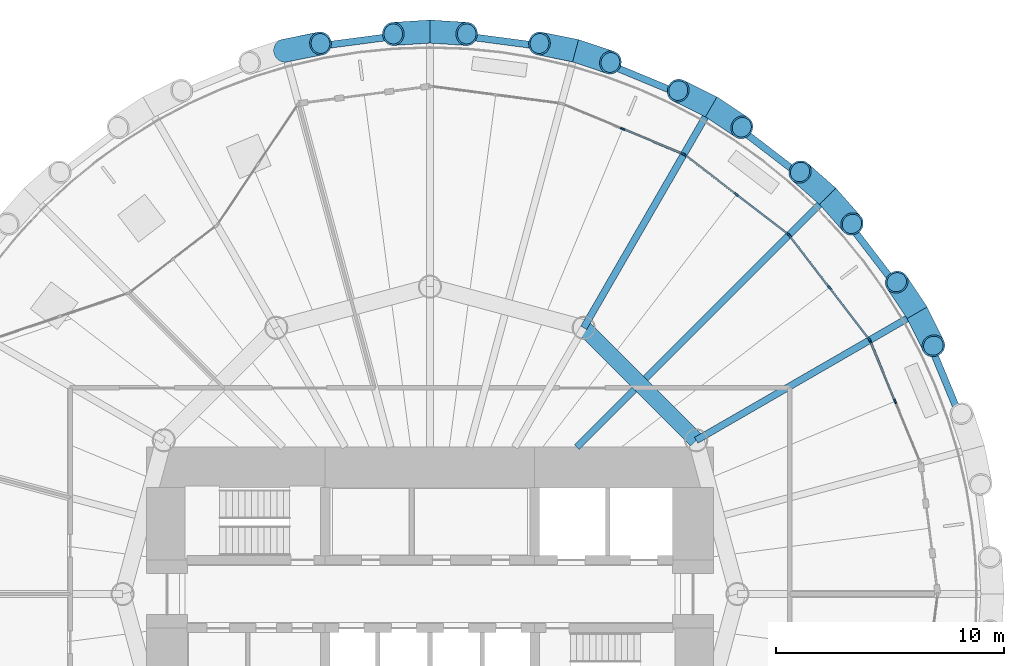
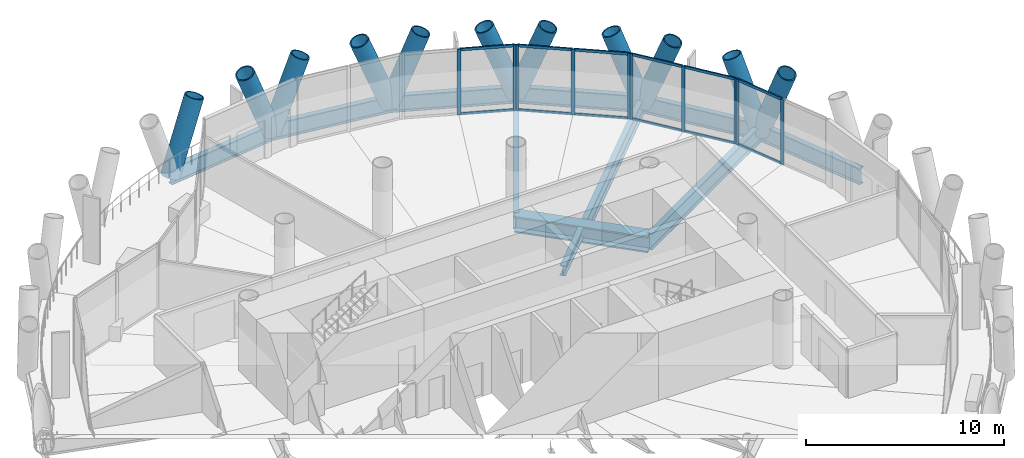
# One storey, part 6 of 14: 33 members, 11 beams, 4 elements without a shape of their own.
"""IFC4 building model written with IfcOpenShell, lengths in metres."""

from ifc_helpers import new_model, si_unit, direction, frame, origin, origin_2d, place, context, subcontext, project, spatial, rectangle, hollow_circle, i_section, extrude, material, material_profile, profile_set, type_object, element, aggregate, save


model = new_model("IFC4")

# Units and contexts
model_context = context("Model", 3, precision=1e-05, world=origin(), true_north=direction((0.0, 1.0)))
body_context = subcontext(model_context, "Body", "Model", "MODEL_VIEW")
ifc_project = project(units=[si_unit("LENGTHUNIT", "METRE"), si_unit("AREAUNIT", "SQUARE_METRE"), si_unit("VOLUMEUNIT", "CUBIC_METRE"), si_unit("PLANEANGLEUNIT", "RADIAN"), si_unit("MASSUNIT", "GRAM", prefix="KILO")], contexts=[model_context])

# Site, building, storey
site_placement = place(None, origin())
site = spatial("IfcSite", under=ifc_project, at=site_placement, CompositionType="ELEMENT")
building_placement = place(site_placement, origin())
building = spatial("IfcBuilding", under=site, at=building_placement, Name="Qaws Media Tower", CompositionType="ELEMENT")
storey_placement = place(building_placement, frame((0.0, 0.0, 160.39990234375)))
storey = spatial("IfcBuildingStorey", under=building, at=storey_placement, Name="L36", CompositionType="ELEMENT", Elevation=160.39990234375)

# Curtain wall, members
ifc_material_1 = material(Name="Aluminium and clear glass", Category="aluminium")
curtain_wall_type = type_object("IfcCurtainWallType", Name="Unitised curtain wall CW-B", PredefinedType="NOTDEFINED", material=ifc_material_1)
curtain_wall_1_placement = place(storey_placement, origin())
curtain_wall_1 = element("IfcCurtainWall", 1, at=curtain_wall_1_placement, inside=storey, type_object=curtain_wall_type, Name="CWB curtain wall L36-02", PredefinedType="NOTDEFINED")
ifc_material_2 = material(Name="Aluminium mullion", Category="aluminium")
ifc_material_profile_1 = material_profile(ifc_material_2, rectangle(XDim=0.080078125, YDim=0.199951171875, at=origin_2d()), Name="80x200")
ifc_profile_set_1 = profile_set([ifc_material_profile_1], Name="Aluminium mullion")
member_type_1 = type_object("IfcMemberType", Name="Curtain wall mullion 80x200", PredefinedType="MULLION", material=ifc_profile_set_1)
member_1_placement = place(storey_placement, frame((80.42626953125, 58.4609375, 0.0), z_axis=(0.0, 0.0, 1.0), x_axis=(-0.923879550732, -0.382683388377, 0.0)))
member_1 = element("IfcMember", 2, at=member_1_placement, type_object=member_type_1, Name="CWB mullion 2", PredefinedType="MULLION", context=body_context, shape_type="SweptSolid", body=[
    extrude(rectangle(XDim=0.080078125, YDim=0.199951171875, at=origin_2d()), origin(), (0.0, 0.0, 1.0), 4.0400390625),
])
member_2_placement = place(storey_placement, frame((79.32763671875, 61.113037109375, 0.0), z_axis=(0.0, 0.0, 1.0), x_axis=(-0.923879550732, -0.382683388377, 0.0)))
member_2 = element("IfcMember", 3, at=member_2_placement, type_object=member_type_1, Name="CWB mullion 3", PredefinedType="MULLION", context=body_context, shape_type="SweptSolid", body=[
    extrude(rectangle(XDim=0.080078125, YDim=0.199951171875, at=origin_2d()), origin(), (0.0, 0.0, 1.0), 4.0400390625),
])

curtain_wall_2_placement = place(storey_placement, origin())
curtain_wall_2 = element("IfcCurtainWall", 4, at=curtain_wall_2_placement, inside=storey, type_object=curtain_wall_type, Name="CWB curtain wall L36-03", PredefinedType="NOTDEFINED")
member_3_placement = place(storey_placement, frame((79.2880859375, 61.181640625, 0.0), z_axis=(0.0, 0.0, 1.0), x_axis=(-0.793353266852, -0.608761524717, 0.0)))
member_3 = element("IfcMember", 5, at=member_3_placement, type_object=member_type_1, Name="CWB mullion 1", PredefinedType="MULLION", context=body_context, shape_type="SweptSolid", body=[
    extrude(rectangle(XDim=0.080078125, YDim=0.199951171875, at=origin_2d()), origin(), (0.0, 0.0, 1.0), 4.0400390625),
])
member_4_placement = place(storey_placement, frame((77.54052734375, 63.459228515625, 0.0), z_axis=(0.0, 0.0, 1.0), x_axis=(-0.793353266852, -0.608761524717, 0.0)))
member_4 = element("IfcMember", 6, at=member_4_placement, type_object=member_type_1, Name="CWB mullion 2", PredefinedType="MULLION", context=body_context, shape_type="SweptSolid", body=[
    extrude(rectangle(XDim=0.080078125, YDim=0.199951171875, at=origin_2d()), origin(), (0.0, 0.0, 1.0), 4.0400390625),
])
member_5_placement = place(storey_placement, frame((75.792724609375, 65.73681640625, 0.0), z_axis=(0.0, 0.0, 1.0), x_axis=(-0.793353266852, -0.608761524717, 0.0)))
member_5 = element("IfcMember", 7, at=member_5_placement, type_object=member_type_1, Name="CWB mullion 3", PredefinedType="MULLION", context=body_context, shape_type="SweptSolid", body=[
    extrude(rectangle(XDim=0.080078125, YDim=0.199951171875, at=origin_2d()), origin(), (0.0, 0.0, 1.0), 4.0400390625),
])

curtain_wall_3_placement = place(storey_placement, origin())
curtain_wall_3 = element("IfcCurtainWall", 8, at=curtain_wall_3_placement, inside=storey, type_object=curtain_wall_type, Name="CWB curtain wall L36-04", PredefinedType="NOTDEFINED")
member_6_placement = place(storey_placement, frame((75.73681640625, 65.792724609375, 0.0), z_axis=(0.0, 0.0, 1.0), x_axis=(-0.608761524717, -0.793353266852, 0.0)))
member_6 = element("IfcMember", 9, at=member_6_placement, type_object=member_type_1, Name="CWB mullion 1", PredefinedType="MULLION", context=body_context, shape_type="SweptSolid", body=[
    extrude(rectangle(XDim=0.080078125, YDim=0.199951171875, at=origin_2d()), origin(), (0.0, 0.0, 1.0), 4.0400390625),
])
member_7_placement = place(storey_placement, frame((73.459228515625, 67.54052734375, 0.0), z_axis=(0.0, 0.0, 1.0), x_axis=(-0.608761524717, -0.793353266852, 0.0)))
member_7 = element("IfcMember", 10, at=member_7_placement, type_object=member_type_1, Name="CWB mullion 2", PredefinedType="MULLION", context=body_context, shape_type="SweptSolid", body=[
    extrude(rectangle(XDim=0.080078125, YDim=0.199951171875, at=origin_2d()), origin(), (0.0, 0.0, 1.0), 4.0400390625),
])
member_8_placement = place(storey_placement, frame((71.181640625, 69.2880859375, 0.0), z_axis=(0.0, 0.0, 1.0), x_axis=(-0.608761524717, -0.793353266852, 0.0)))
member_8 = element("IfcMember", 11, at=member_8_placement, type_object=member_type_1, Name="CWB mullion 3", PredefinedType="MULLION", context=body_context, shape_type="SweptSolid", body=[
    extrude(rectangle(XDim=0.080078125, YDim=0.199951171875, at=origin_2d()), origin(), (0.0, 0.0, 1.0), 4.0400390625),
])

curtain_wall_4_placement = place(storey_placement, origin())
curtain_wall_4 = element("IfcCurtainWall", 12, at=curtain_wall_4_placement, inside=storey, type_object=curtain_wall_type, Name="CWB curtain wall L36-05", PredefinedType="NOTDEFINED")
member_9_placement = place(storey_placement, frame((71.113037109375, 69.32763671875, 0.0), z_axis=(0.0, 0.0, 1.0), x_axis=(-0.382683388377, -0.923879550732, 0.0)))
member_9 = element("IfcMember", 13, at=member_9_placement, type_object=member_type_1, Name="CWB mullion 1", PredefinedType="MULLION", context=body_context, shape_type="SweptSolid", body=[
    extrude(rectangle(XDim=0.080078125, YDim=0.199951171875, at=origin_2d()), origin(), (0.0, 0.0, 1.0), 4.0400390625),
])
member_10_placement = place(storey_placement, frame((68.4609375, 70.42626953125, 0.0), z_axis=(0.0, 0.0, 1.0), x_axis=(-0.382683388377, -0.923879550732, 0.0)))
member_10 = element("IfcMember", 14, at=member_10_placement, type_object=member_type_1, Name="CWB mullion 2", PredefinedType="MULLION", context=body_context, shape_type="SweptSolid", body=[
    extrude(rectangle(XDim=0.080078125, YDim=0.199951171875, at=origin_2d()), origin(), (0.0, 0.0, 1.0), 4.0400390625),
])

# Member
ifc_material_3 = material(Name="Aluminium transom", Category="aluminium")
ifc_material_profile_2 = material_profile(ifc_material_3, rectangle(XDim=0.080078125, YDim=0.159912109375, at=origin_2d()), Name="80x160")
ifc_profile_set_2 = profile_set([ifc_material_profile_2], Name="Aluminium transom")
member_type_2 = type_object("IfcMemberType", Name="Curtain wall transom 80x160", PredefinedType="USERDEFINED", material=ifc_profile_set_2)
member_11_placement = place(storey_placement, frame((80.410888671875, 58.497802734375, 0.0400390625), z_axis=(-0.38264539254, 0.923895288205, 0.0), x_axis=(-0.923895288205, -0.38264539254, 0.0)))
member_11 = element("IfcMember", 15, at=member_11_placement, type_object=member_type_2, Name="CWB transom 2.1", ObjectType="TRANSOM", PredefinedType="USERDEFINED", context=body_context, shape_type="SweptSolid", body=[
    extrude(rectangle(XDim=0.080078125, YDim=0.159912109375, at=origin_2d()), origin(), (0.0, 0.0, 1.0), 2.790771484375),
])

member_12_placement = place(storey_placement, frame((80.410888671875, 58.497802734375, 4.0), z_axis=(-0.38264539254, 0.923895288205, 0.0), x_axis=(-0.923895288205, -0.38264539254, 0.0)))
member_12 = element("IfcMember", 16, at=member_12_placement, type_object=member_type_2, Name="CWB transom 2.2", ObjectType="TRANSOM", PredefinedType="USERDEFINED", context=body_context, shape_type="SweptSolid", body=[
    extrude(rectangle(XDim=0.080078125, YDim=0.159912109375, at=origin_2d()), origin(), (0.0, 0.0, 1.0), 2.790771484375),
])

aggregate(curtain_wall_1, [member_1, member_2, member_11, member_12])

member_13_placement = place(storey_placement, frame((79.263671875, 61.21337890625, 0.0400390625), z_axis=(-0.608767570739, 0.793348627538, 0.0), x_axis=(-0.793348627538, -0.608767570739, 0.0)))
member_13 = element("IfcMember", 17, at=member_13_placement, type_object=member_type_2, Name="CWB transom 1.1", ObjectType="TRANSOM", PredefinedType="USERDEFINED", context=body_context, shape_type="SweptSolid", body=[
    extrude(rectangle(XDim=0.080078125, YDim=0.159912109375, at=origin_2d()), origin(), (0.0, 0.0, 1.0), 2.790771484375),
])

member_14_placement = place(storey_placement, frame((79.263671875, 61.21337890625, 4.0), z_axis=(-0.608767570739, 0.793348627538, 0.0), x_axis=(-0.793348627538, -0.608767570739, 0.0)))
member_14 = element("IfcMember", 18, at=member_14_placement, type_object=member_type_2, Name="CWB transom 1.2", ObjectType="TRANSOM", PredefinedType="USERDEFINED", context=body_context, shape_type="SweptSolid", body=[
    extrude(rectangle(XDim=0.080078125, YDim=0.159912109375, at=origin_2d()), origin(), (0.0, 0.0, 1.0), 2.790771484375),
])

member_15_placement = place(storey_placement, frame((77.51611328125, 63.490966796875, 0.0400390625), z_axis=(-0.608767570739, 0.793348627538, 0.0), x_axis=(-0.793348627538, -0.608767570739, 0.0)))
member_15 = element("IfcMember", 19, at=member_15_placement, type_object=member_type_2, Name="CWB transom 2.1", ObjectType="TRANSOM", PredefinedType="USERDEFINED", context=body_context, shape_type="SweptSolid", body=[
    extrude(rectangle(XDim=0.080078125, YDim=0.159912109375, at=origin_2d()), origin(), (0.0, 0.0, 1.0), 2.790771484375),
])

member_16_placement = place(storey_placement, frame((77.51611328125, 63.490966796875, 4.0), z_axis=(-0.608767570739, 0.793348627538, 0.0), x_axis=(-0.793348627538, -0.608767570739, 0.0)))
member_16 = element("IfcMember", 20, at=member_16_placement, type_object=member_type_2, Name="CWB transom 2.2", ObjectType="TRANSOM", PredefinedType="USERDEFINED", context=body_context, shape_type="SweptSolid", body=[
    extrude(rectangle(XDim=0.080078125, YDim=0.159912109375, at=origin_2d()), origin(), (0.0, 0.0, 1.0), 2.790771484375),
])

aggregate(curtain_wall_2, [member_3, member_4, member_5, member_13, member_14, member_15, member_16])

member_17_placement = place(storey_placement, frame((75.705078125, 65.817138671875, 0.0400390625), z_axis=(-0.793348627538, 0.608767570739, 0.0), x_axis=(-0.608767570739, -0.793348627538, 0.0)))
member_17 = element("IfcMember", 21, at=member_17_placement, type_object=member_type_2, Name="CWB transom 1.1", ObjectType="TRANSOM", PredefinedType="USERDEFINED", context=body_context, shape_type="SweptSolid", body=[
    extrude(rectangle(XDim=0.080078125, YDim=0.159912109375, at=origin_2d()), origin(), (0.0, 0.0, 1.0), 2.790771484375),
])

member_18_placement = place(storey_placement, frame((75.705078125, 65.817138671875, 4.0), z_axis=(-0.793348627538, 0.608767570739, 0.0), x_axis=(-0.608767570739, -0.793348627538, 0.0)))
member_18 = element("IfcMember", 22, at=member_18_placement, type_object=member_type_2, Name="CWB transom 1.2", ObjectType="TRANSOM", PredefinedType="USERDEFINED", context=body_context, shape_type="SweptSolid", body=[
    extrude(rectangle(XDim=0.080078125, YDim=0.159912109375, at=origin_2d()), origin(), (0.0, 0.0, 1.0), 2.790771484375),
])

member_19_placement = place(storey_placement, frame((73.427490234375, 67.564697265625, 0.0400390625), z_axis=(-0.793348627538, 0.608767570739, 0.0), x_axis=(-0.608767570739, -0.793348627538, 0.0)))
member_19 = element("IfcMember", 23, at=member_19_placement, type_object=member_type_2, Name="CWB transom 2.1", ObjectType="TRANSOM", PredefinedType="USERDEFINED", context=body_context, shape_type="SweptSolid", body=[
    extrude(rectangle(XDim=0.080078125, YDim=0.159912109375, at=origin_2d()), origin(), (0.0, 0.0, 1.0), 2.790771484375),
])

member_20_placement = place(storey_placement, frame((73.427490234375, 67.564697265625, 4.0), z_axis=(-0.793348627538, 0.608767570739, 0.0), x_axis=(-0.608767570739, -0.793348627538, 0.0)))
member_20 = element("IfcMember", 24, at=member_20_placement, type_object=member_type_2, Name="CWB transom 2.2", ObjectType="TRANSOM", PredefinedType="USERDEFINED", context=body_context, shape_type="SweptSolid", body=[
    extrude(rectangle(XDim=0.080078125, YDim=0.159912109375, at=origin_2d()), origin(), (0.0, 0.0, 1.0), 2.790771484375),
])

aggregate(curtain_wall_3, [member_6, member_7, member_8, member_17, member_18, member_19, member_20])

member_21_placement = place(storey_placement, frame((71.076171875, 69.343017578125, 0.0400390625), z_axis=(-0.923895288205, 0.38264539254, 0.0), x_axis=(-0.38264539254, -0.923895288205, 0.0)))
member_21 = element("IfcMember", 25, at=member_21_placement, type_object=member_type_2, Name="CWB transom 1.1", ObjectType="TRANSOM", PredefinedType="USERDEFINED", context=body_context, shape_type="SweptSolid", body=[
    extrude(rectangle(XDim=0.080078125, YDim=0.159912109375, at=origin_2d()), origin(), (0.0, 0.0, 1.0), 2.790771484375),
])

member_22_placement = place(storey_placement, frame((71.076171875, 69.343017578125, 4.0), z_axis=(-0.923895288205, 0.38264539254, 0.0), x_axis=(-0.38264539254, -0.923895288205, 0.0)))
member_22 = element("IfcMember", 26, at=member_22_placement, type_object=member_type_2, Name="CWB transom 1.2", ObjectType="TRANSOM", PredefinedType="USERDEFINED", context=body_context, shape_type="SweptSolid", body=[
    extrude(rectangle(XDim=0.080078125, YDim=0.159912109375, at=origin_2d()), origin(), (0.0, 0.0, 1.0), 2.790771484375),
])

aggregate(curtain_wall_4, [member_9, member_10, member_21, member_22])

# Members
ifc_material_4 = material(Name="Steel S460", Category="steel")
ifc_material_profile_3 = material_profile(ifc_material_4, hollow_circle(Radius=0.508056640625, WallThickness=0.070068359375, at=origin_2d()), Name="CHS 1016x70")
ifc_profile_set_3 = profile_set([ifc_material_profile_3], Name="Steel S460")
member_type_3 = type_object("IfcMemberType", Name="Diagrid member CHS 1016x70", PredefinedType="USERDEFINED", material=ifc_profile_set_3)
for number, where, z_axis, x_axis, name in (
    (27, (81.390869140625, 62.35009765625, -0.663818359375), (-0.19895054593, 0.298832726202, 0.933336853459), (-0.832398880885, -0.554176960096, 0.0), "DG3 diagrid L36 A03"),
    (28, (81.390869140625, 62.35009765625, -0.663818359375), (0.159343513998, -0.321725242768, 0.933328727037), (0.896113276211, 0.443825411844, 0.0), "DG3 diagrid L36 B03"),
    (29, (77.465576171875, 67.465576171875, -0.663818359375), (-0.269480939558, 0.237199651247, 0.933336139161), (-0.660716466441, -0.750635564687, 0.0), "DG3 diagrid L36 A04"),
    (30, (77.465576171875, 67.465576171875, -0.663818359375), (0.237199651247, -0.269480939558, 0.933336139161), (0.750635564687, 0.660716466441, 0.0), "DG3 diagrid L36 B04"),
    (31, (72.35009765625, 71.390869140625, -0.663818359375), (-0.321725242768, 0.159343513998, 0.933328727037), (-0.443825411844, -0.896113276211, 0.0), "DG3 diagrid L36 A05"),
    (32, (72.35009765625, 71.390869140625, -0.663818359375), (0.298832726202, -0.19895054593, 0.933336853459), (0.554176960096, 0.832398880885, 0.0), "DG3 diagrid L36 B05"),
):
    element("IfcMember", number, at=place(storey_placement, frame(where, z_axis=z_axis, x_axis=x_axis)), inside=storey, type_object=member_type_3, Name=name, ObjectType="DIAGRID", PredefinedType="USERDEFINED", context=body_context, shape_type="SweptSolid", body=[
        extrude(hollow_circle(Radius=0.508056640625, WallThickness=0.070068359375, at=origin_2d()), origin(), (0.0, 0.0, 1.0), 4.5),
    ])
member_23_placement = place(storey_placement, frame((66.392822265625, 73.8583984375, -0.663818359375), z_axis=(-0.351952137721, 0.070640000511, 0.93334863962), x_axis=(-0.196784594478, -0.980446746833, 0.0)))
element("IfcMember", 33, at=member_23_placement, inside=storey, type_object=member_type_3, Name="DG3 diagrid L36 A06", ObjectType="DIAGRID", PredefinedType="USERDEFINED", context=body_context, shape_type="SweptSolid", body=[
    extrude(hollow_circle(Radius=0.508056640625, WallThickness=0.070068359375, at=origin_2d()), origin(), (0.0, 0.0, 1.0), 4.499755859375),
])
for number, where, z_axis, x_axis, name in (
    (34, (66.392822265625, 73.8583984375, -0.663818359375), (0.340171803568, -0.11480120197, 0.933329431703), (0.319761686204, 0.947498002128, 0.0), "DG3 diagrid L36 B06"),
    (35, (60.0, 74.699951171875, -0.663818359375), (-0.358292755875, -0.022840891918, 0.933329842416), (0.063620099001, -0.997974189548, 0.0), "DG3 diagrid L36 A07"),
    (36, (60.0, 74.699951171875, -0.663818359375), (0.358292755875, -0.022840891918, 0.933329842416), (0.063620099001, 0.997974189548, 0.0), "DG3 diagrid L36 B07"),
):
    element("IfcMember", number, at=place(storey_placement, frame(where, z_axis=z_axis, x_axis=x_axis)), inside=storey, type_object=member_type_3, Name=name, ObjectType="DIAGRID", PredefinedType="USERDEFINED", context=body_context, shape_type="SweptSolid", body=[
        extrude(hollow_circle(Radius=0.508056640625, WallThickness=0.070068359375, at=origin_2d()), origin(), (0.0, 0.0, 1.0), 4.5),
    ])
member_24_placement = place(storey_placement, frame((53.607177734375, 73.8583984375, -0.663818359375), z_axis=(0.351952137721, 0.070640000511, 0.93334863962), x_axis=(-0.196784594478, 0.980446746833, 0.0)))
element("IfcMember", 37, at=member_24_placement, inside=storey, type_object=member_type_3, Name="DG3 diagrid L36 B08", ObjectType="DIAGRID", PredefinedType="USERDEFINED", context=body_context, shape_type="SweptSolid", body=[
    extrude(hollow_circle(Radius=0.508056640625, WallThickness=0.070068359375, at=origin_2d()), origin(), (0.0, 0.0, 1.0), 4.499755859375),
])

# Beams
ifc_material_5 = material(Name="Steel S460", Category="steel")
ifc_material_profile_4 = material_profile(ifc_material_5, i_section(OverallWidth=0.302001953125, OverallDepth=1.008056640625, WebThickness=0.02099609375, FlangeThickness=0.0400390625, FilletRadius=0.030029296875, at=origin_2d()), Name="HE 1000 M")
ifc_profile_set_4 = profile_set([ifc_material_profile_4], Name="Steel S460")
beam_type_1 = type_object("IfcBeamType", Name="Edge ring beam HE 1000 M", PredefinedType="BEAM", material=ifc_profile_set_4)
for number, where, z_axis, x_axis, name in (
    (38, (83.8583984375, 56.392822265625, -0.663818359375), (-0.382676156503, 0.923882546238, 0.0), (-0.923882546238, -0.382676156503, 0.0), "RB3 edge ring beam L36-02"),
    (39, (81.390869140625, 62.35009765625, -0.663818359375), (-0.608766138604, 0.793349726469, 0.0), (-0.793349726469, -0.608766138604, 0.0), "RB3 edge ring beam L36-03"),
    (40, (77.465576171875, 67.465576171875, -0.663818359375), (-0.793349726469, 0.608766138604, 0.0), (-0.608766138604, -0.793349726469, 0.0), "RB3 edge ring beam L36-04"),
    (41, (72.35009765625, 71.390869140625, -0.663818359375), (-0.923882546238, 0.382676156503, 0.0), (-0.382676156503, -0.923882546238, 0.0), "RB3 edge ring beam L36-05"),
    (42, (66.392822265625, 73.8583984375, -0.663818359375), (-0.991446432436, 0.130514258263, 0.0), (-0.130514258263, -0.991446432436, 0.0), "RB3 edge ring beam L36-06"),
    (43, (60.0, 74.699951171875, -0.663818359375), (-0.991446432436, -0.130514258263, 0.0), (0.130514258263, -0.991446432436, 0.0), "RB3 edge ring beam L36-07"),
):
    element("IfcBeam", number, at=place(storey_placement, frame(where, z_axis=z_axis, x_axis=x_axis)), inside=storey, type_object=beam_type_1, Name=name, PredefinedType="BEAM", context=body_context, shape_type="SweptSolid", body=[
        extrude(i_section(OverallWidth=0.302001953125, OverallDepth=1.008056640625, WebThickness=0.02099609375, FlangeThickness=0.0400390625, FilletRadius=0.030029296875, at=origin_2d()), origin(), (0.0, 0.0, 1.0), 6.447998046875),
    ])
ifc_material_6 = material(Name="Steel S460", Category="steel")
ifc_material_profile_5 = material_profile(ifc_material_6, i_section(OverallWidth=0.699951171875, OverallDepth=1.0, WebThickness=0.034912109375, FlangeThickness=0.090087890625, at=origin_2d()), Name="PG 1000x700")
ifc_profile_set_5 = profile_set([ifc_material_profile_5], Name="Steel S460")
beam_type_2 = type_object("IfcBeamType", Name="Inner ring girder PG 1000x700", PredefinedType="BEAM", material=ifc_profile_set_5)
beam_1_placement = place(storey_placement, frame((71.69140625, 56.75, -0.659912109375), z_axis=(-0.707106781187, 0.707106781187, 0.0), x_axis=(-0.707106781187, -0.707106781187, 0.0)))
element("IfcBeam", 44, at=beam_1_placement, inside=storey, type_object=beam_type_2, Name="B3 inner ring beam L36 I02-I03", PredefinedType="BEAM", context=body_context, shape_type="SweptSolid", body=[
    extrude(i_section(OverallWidth=0.699951171875, OverallDepth=1.0, WebThickness=0.034912109375, FlangeThickness=0.090087890625, at=origin_2d()), origin(), (0.0, 0.0, 1.0), 6.98828125),
])
ifc_material_7 = material(Name="Steel S355", Category="steel")
ifc_material_profile_6 = material_profile(ifc_material_7, i_section(OverallWidth=0.302001953125, OverallDepth=1.008056640625, WebThickness=0.02099609375, FlangeThickness=0.0400390625, FilletRadius=0.030029296875, at=origin_2d()), Name="HE 1000 M")
ifc_profile_set_6 = profile_set([ifc_material_profile_6], Name="Steel S355")
beam_type_3 = type_object("IfcBeamType", Name="Radial beam HE 1000 M", PredefinedType="BEAM", material=ifc_profile_set_6)
beam_2_placement = place(storey_placement, frame((71.69140625, 56.75, -0.663818359375), z_axis=(0.866021145342, 0.500007375767, 0.0), x_axis=(-0.500007375767, 0.866021145342, 0.0)))
element("IfcBeam", 45, at=beam_2_placement, inside=storey, type_object=beam_type_3, Name="B1 radial beam L36 03", PredefinedType="BEAM", context=body_context, shape_type="SweptSolid", body=[
    extrude(i_section(OverallWidth=0.302001953125, OverallDepth=1.008056640625, WebThickness=0.02099609375, FlangeThickness=0.0400390625, FilletRadius=0.030029296875, at=origin_2d()), origin(), (0.0, 0.0, 1.0), 11.199951171875),
])
beam_3_placement = place(storey_placement, frame((69.46826171875, 59.46826171875, -0.663818359375), z_axis=(0.707106781187, 0.707106781187, 0.0), x_axis=(-0.707106781187, 0.707106781187, 0.0)))
element("IfcBeam", 46, at=beam_3_placement, inside=storey, type_object=beam_type_3, Name="B1 radial beam L36 04", PredefinedType="BEAM", context=body_context, shape_type="SweptSolid", body=[
    extrude(i_section(OverallWidth=0.302001953125, OverallDepth=1.008056640625, WebThickness=0.02099609375, FlangeThickness=0.0400390625, FilletRadius=0.030029296875, at=origin_2d()), origin(), (0.0, 0.0, 1.0), 11.309814453125),
])
beam_4_placement = place(storey_placement, frame((66.75, 61.69140625, -0.663818359375), z_axis=(0.500007375767, 0.866021145342, 0.0), x_axis=(-0.866021145342, 0.500007375767, 0.0)))
element("IfcBeam", 47, at=beam_4_placement, inside=storey, type_object=beam_type_3, Name="B1 radial beam L36 05", PredefinedType="BEAM", context=body_context, shape_type="SweptSolid", body=[
    extrude(i_section(OverallWidth=0.302001953125, OverallDepth=1.008056640625, WebThickness=0.02099609375, FlangeThickness=0.0400390625, FilletRadius=0.030029296875, at=origin_2d()), origin(), (0.0, 0.0, 1.0), 11.199951171875),
])
ifc_material_8 = material(Name="Steel S355", Category="steel")
ifc_material_profile_7 = material_profile(ifc_material_8, i_section(OverallWidth=0.304931640625, OverallDepth=0.6201171875, WebThickness=0.02099609375, FlangeThickness=0.0400390625, FilletRadius=0.027099609375, at=origin_2d()), Name="HE 600 M")
ifc_profile_set_7 = profile_set([ifc_material_profile_7], Name="Steel S355")
beam_type_4 = type_object("IfcBeamType", Name="Radial beam HE 600 M, core side", PredefinedType="BEAM", material=ifc_profile_set_7)
beam_5_placement = place(storey_placement, frame((66.449951171875, 56.449951171875, -0.469970703125), z_axis=(0.707106781187, 0.707106781187, 0.0), x_axis=(-0.707106781187, 0.707106781187, 0.0)))
element("IfcBeam", 48, at=beam_5_placement, inside=storey, type_object=beam_type_4, Name="B2 radial beam L36 04", PredefinedType="BEAM", context=body_context, shape_type="SweptSolid", body=[
    extrude(i_section(OverallWidth=0.304931640625, OverallDepth=0.6201171875, WebThickness=0.02099609375, FlangeThickness=0.0400390625, FilletRadius=0.027099609375, at=origin_2d()), origin(), (0.0, 0.0, 1.0), 3.568359375),
])

save(model, "model.ifc")
